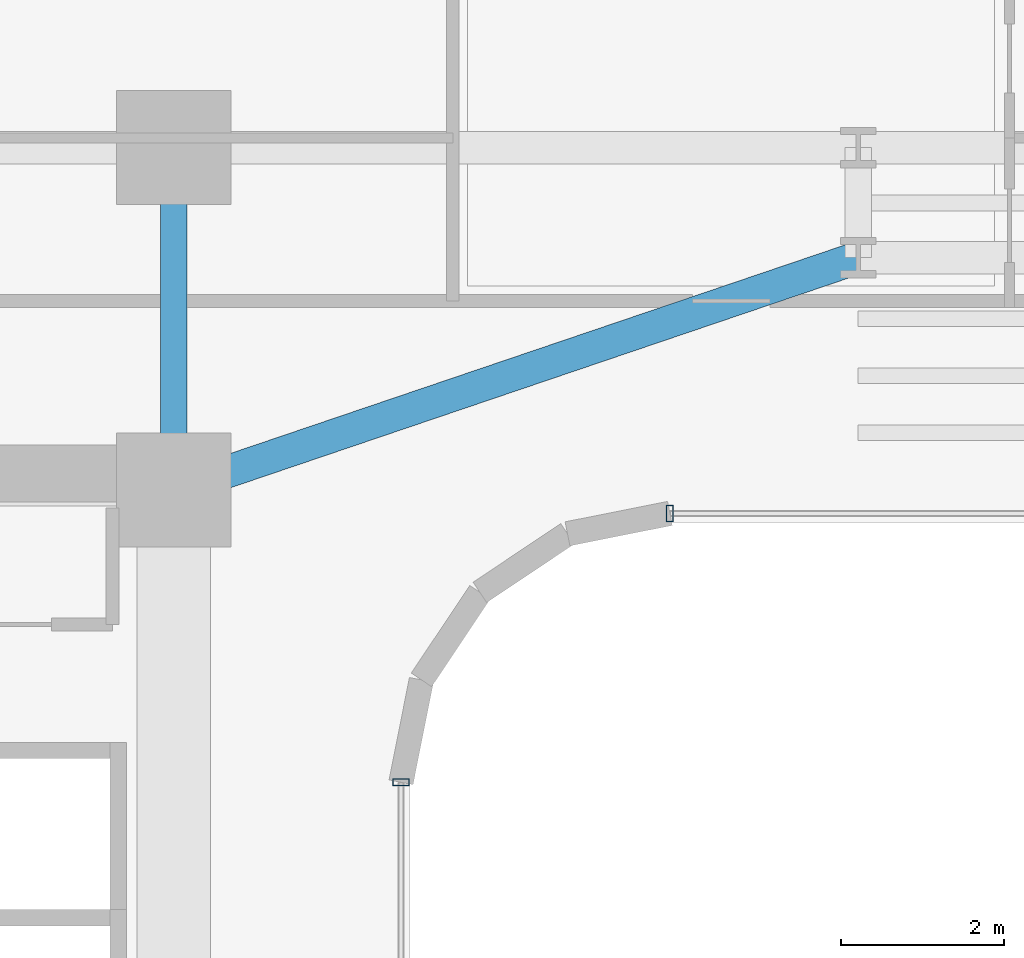
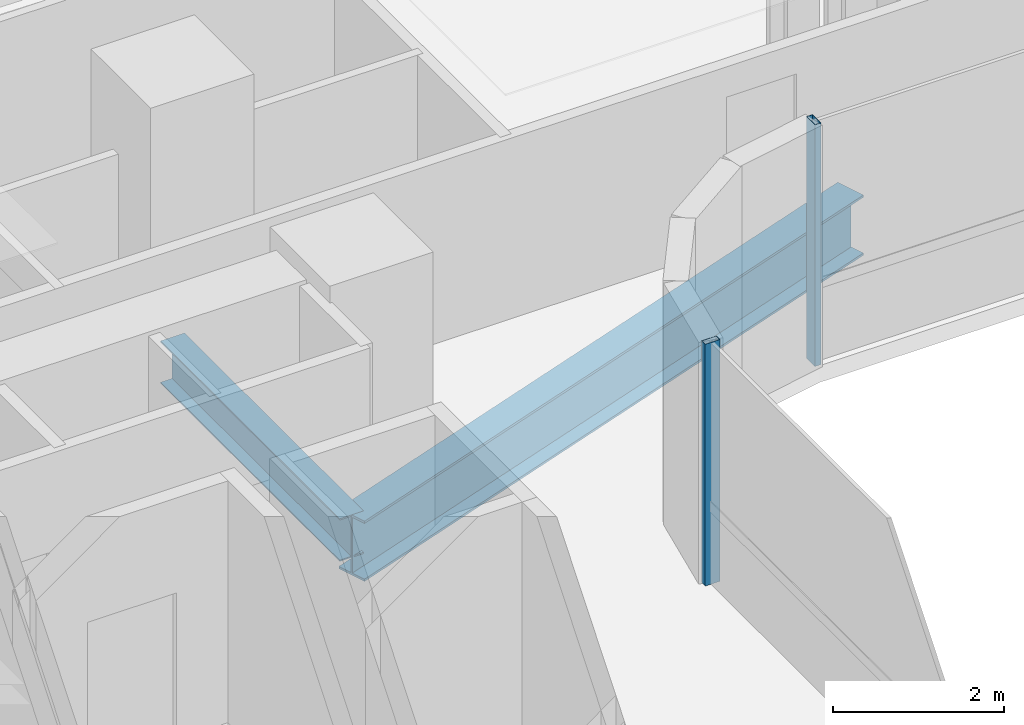
# One storey, part 13 of 42: 2 beams, 2 members, 2 elements without a shape of their own.
"""IFC4 building model written with IfcOpenShell, lengths in metres."""

from ifc_helpers import new_model, si_unit, direction, frame, origin, origin_2d, place, context, subcontext, project, spatial, hollow_rectangle, i_section, extrude, source, transform, mapped, material, material_profile, profile_set, type_object, element, aggregate, save


model = new_model("IFC4")

# Units and contexts
model_context = context("Model", 3, precision=1e-05, world=origin(), true_north=direction((0.0, 1.0)))
body_context = subcontext(model_context, "Body", "Model", "MODEL_VIEW")
ifc_project = project(units=[si_unit("LENGTHUNIT", "METRE"), si_unit("AREAUNIT", "SQUARE_METRE"), si_unit("VOLUMEUNIT", "CUBIC_METRE"), si_unit("PLANEANGLEUNIT", "RADIAN"), si_unit("MASSUNIT", "GRAM", prefix="KILO")], contexts=[model_context])

# Site, building, storey
site_placement = place(None, origin())
site = spatial("IfcSite", under=ifc_project, at=site_placement, CompositionType="ELEMENT")
building_placement = place(site_placement, origin())
building = spatial("IfcBuilding", under=site, at=building_placement, Name="Valdorenza Pilgrim Sanctuary Tower", CompositionType="ELEMENT")
storey_placement = place(building_placement, frame((0.0, 0.0, 55.60009765625)))
storey = spatial("IfcBuildingStorey", under=building, at=storey_placement, Name="L13", CompositionType="ELEMENT", Elevation=55.60009765625)

# Beams
ifc_material_1 = material(Name="Steel ASTM A992 Grade 50", Category="steel")
ifc_material_profile_1 = material_profile(ifc_material_1, i_section(OverallWidth=0.323974609375, OverallDepth=0.611083984375, WebThickness=0.0126953125, FlangeThickness=0.01904296875, at=origin_2d()), Name="W24X104")
ifc_profile_set_1 = profile_set([ifc_material_profile_1], Name="Steel ASTM A992 Grade 50")
beam_type_1 = type_object("IfcBeamType", Name="STR-BM-GRD-W24B", PredefinedType="BEAM", material=ifc_profile_set_1)
shared_shape_1 = source(origin(), body_context, "Body", "SweptSolid", [
    extrude(i_section(OverallWidth=0.323974609375, OverallDepth=0.611083984375, WebThickness=0.0126953125, FlangeThickness=0.01904296875, at=origin_2d()), origin(), (0.0, 0.0, 1.0), 4.199951171875),
])
beam_1_placement = place(storey_placement, frame((-12.39990234375, 10.60009765625, -0.545654296875), z_axis=(0.0, 1.0, 0.0), x_axis=(-1.0, 0.0, 0.0)))
element("IfcBeam", 1, at=beam_1_placement, inside=storey, type_object=beam_type_1, Name="L13 Core Tie Girder CA-E-N1N2", PredefinedType="BEAM", context=body_context, shape_type="MappedRepresentation", body=[
    mapped(shared_shape_1, transform((0.0, 0.0, 0.0), x_axis=(1.0, 0.0, 0.0), y_axis=(0.0, 1.0, 0.0), z_axis=(0.0, 0.0, 1.0), scale=1.0)),
])
ifc_material_profile_2 = material_profile(ifc_material_1, i_section(OverallWidth=0.39990234375, OverallDepth=0.862060546875, WebThickness=0.019775390625, FlangeThickness=0.032470703125, at=origin_2d()), Name="W33X221")
ifc_profile_set_2 = profile_set([ifc_material_profile_2], Name="Steel ASTM A992 Grade 50")
beam_type_2 = type_object("IfcBeamType", Name="STR-BM-GRD-W33", PredefinedType="BEAM", material=ifc_profile_set_2)
shared_shape_2 = source(origin(), body_context, "Body", "SweptSolid", [
    extrude(i_section(OverallWidth=0.39990234375, OverallDepth=0.862060546875, WebThickness=0.019775390625, FlangeThickness=0.032470703125, at=origin_2d()), origin(), (0.0, 0.0, 1.0), 8.8701171875),
])
beam_2_placement = place(storey_placement, frame((-12.39990234375, 10.60009765625, -0.671142578125), z_axis=(0.946982588361, 0.321284885018, 0.0), x_axis=(-0.321284885018, 0.946982588361, 0.0)))
element("IfcBeam", 2, at=beam_2_placement, inside=storey, type_object=beam_type_2, Name="L13 Floor Girder KNK-G1", PredefinedType="BEAM", context=body_context, shape_type="MappedRepresentation", body=[
    mapped(shared_shape_2, transform((0.0, 0.0, 0.0), x_axis=(1.0, 0.0, 0.0), y_axis=(0.0, 1.0, 0.0), z_axis=(0.0, 0.0, 1.0), scale=1.0)),
])

# Curtain wall, member
ifc_material_2 = material(Name="Curtain-wall IGU glazing", Category="glass")
curtain_wall_type = type_object("IfcCurtainWallType", Name="CW-SYS-02", PredefinedType="NOTDEFINED", material=ifc_material_2)
curtain_wall_1_placement = place(storey_placement, origin())
curtain_wall_1 = element("IfcCurtainWall", 3, at=curtain_wall_1_placement, inside=storey, type_object=curtain_wall_type, Name="L13 Curtain Wall CW-L13-1-36", PredefinedType="NOTDEFINED")
ifc_material_3 = material(Name="Anodised aluminium AW-6060", Category="aluminium")
ifc_material_profile_3 = material_profile(ifc_material_3, hollow_rectangle(XDim=0.0849609375, YDim=0.199951171875, WallThickness=0.0048828125, at=origin_2d()), Name="ALU-M 200x85x5")
ifc_profile_set_3 = profile_set([ifc_material_profile_3], Name="Anodised aluminium AW-6060")
member_type = type_object("IfcMemberType", Name="CW-MUL-02", PredefinedType="MULLION", material=ifc_profile_set_3)
shared_shape_3 = source(origin(), body_context, "Body", "SweptSolid", [
    extrude(hollow_rectangle(XDim=0.0849609375, YDim=0.199951171875, WallThickness=0.0048828125, at=origin_2d()), origin(), (0.0, 0.0, 1.0), 3.4599609375),
])
member_1_placement = place(storey_placement, frame((-6.310791015625, 10.31005859375, 0.0), z_axis=(0.0, 0.0, 1.0), x_axis=(-1.0, 0.0, 0.0)))
member_1 = element("IfcMember", 4, at=member_1_placement, type_object=member_type, Name="CW-L13-1-36 Mullion 4", PredefinedType="MULLION", context=body_context, shape_type="MappedRepresentation", body=[
    mapped(shared_shape_3, transform((0.0, 0.0, 0.0), x_axis=(1.0, 0.0, 0.0), y_axis=(0.0, 1.0, 0.0), z_axis=(0.0, 0.0, 1.0), scale=1.0)),
])
aggregate(curtain_wall_1, [member_1])

curtain_wall_2_placement = place(storey_placement, origin())
curtain_wall_2 = element("IfcCurtainWall", 5, at=curtain_wall_2_placement, inside=storey, type_object=curtain_wall_type, Name="L13 Curtain Wall CW-L13-1-41", PredefinedType="NOTDEFINED")
member_2_placement = place(storey_placement, frame((-9.610107421875, 7.0107421875, 0.0), z_axis=(0.0, 0.0, 1.0), x_axis=(0.0, -1.0, 0.0)))
member_2 = element("IfcMember", 6, at=member_2_placement, type_object=member_type, Name="CW-L13-1-41 Mullion 1", PredefinedType="MULLION", context=body_context, shape_type="MappedRepresentation", body=[
    mapped(shared_shape_3, transform((0.0, 0.0, 0.0), x_axis=(1.0, 0.0, 0.0), y_axis=(0.0, 1.0, 0.0), z_axis=(0.0, 0.0, 1.0), scale=1.0)),
])
aggregate(curtain_wall_2, [member_2])

save(model, "model.ifc")
